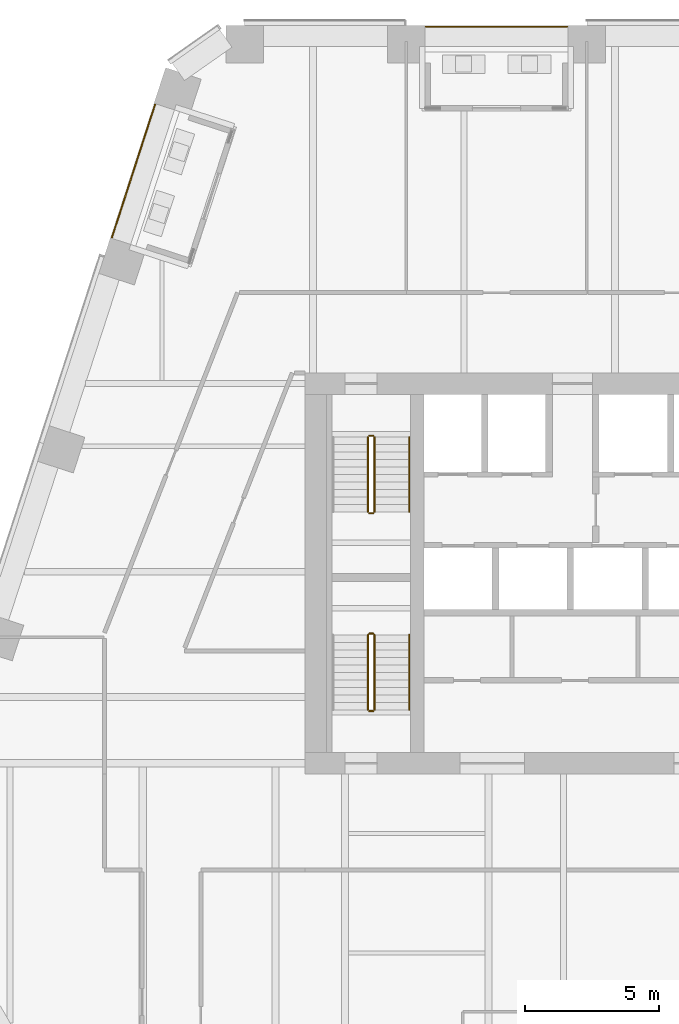
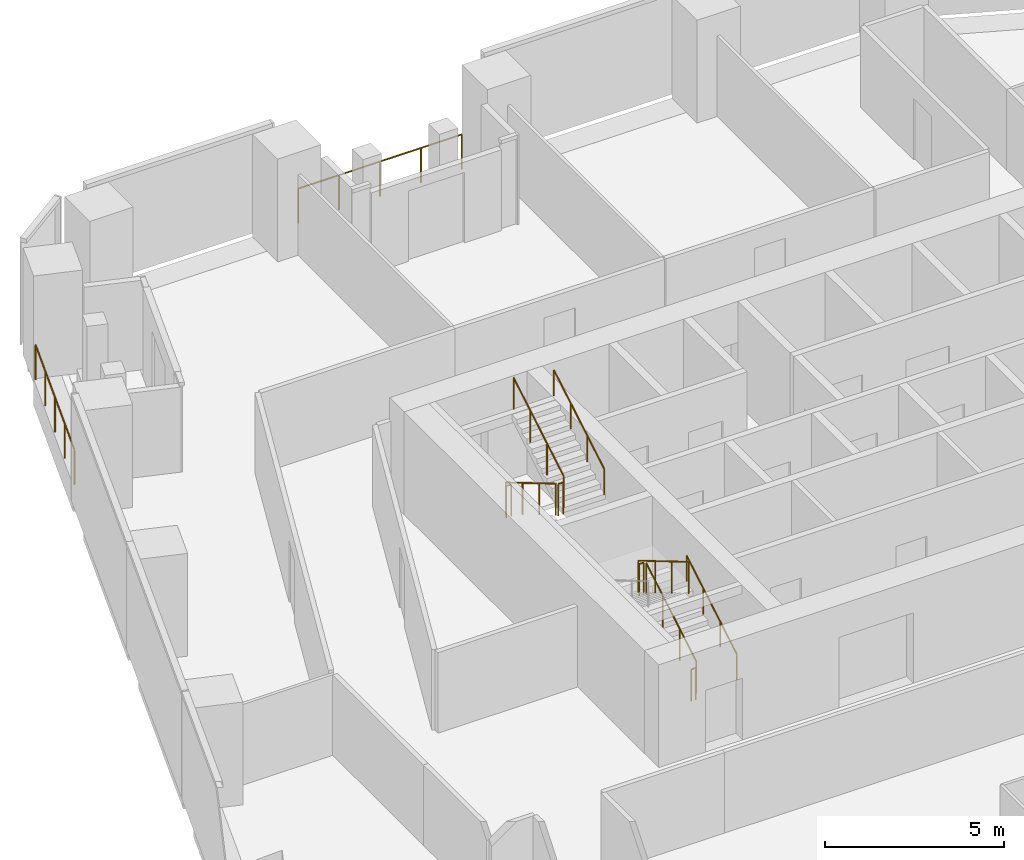
# One storey, part 24 of 26: 12 railings.
"""IFC4 building model written with IfcOpenShell, lengths in metres."""

import ifcopenshell
import ifcopenshell.guid

model = None  # the IFC model being written
_history = None  # IfcOwnerHistory: only IFC2X3 demands one
_inside = {}  # id of a spatial element -> (the spatial element, [elements in it])
_under = {}  # id of a project, library or spatial element -> (it, [spatial elements below it])
_declared = {}  # id of a project -> (the project, [libraries it declares])
_typed = {}  # id of a type object -> (the type object, [elements of that type])
_made_of = {}  # id of a material, layer set ... -> (it, [elements and type objects made of it])


def new_model(schema):
    """Start an empty IFC model of exactly this schema.

    Asked for "IFC4X3", IfcOpenShell would pick the latest addendum, in which some entities
    have other attributes; the version numbers below select the first issue.
    IFC2X3 requires an IfcOwnerHistory on every rooted entity: one is made here for all.
    """
    global model, _history
    if schema == "IFC4X3":
        model = ifcopenshell.file(schema_version=(4, 3, 0, 0))
    else:
        model = ifcopenshell.file(schema=schema)
    _inside.clear()
    _under.clear()
    _declared.clear()
    _typed.clear()
    _made_of.clear()
    _history = None
    if model.schema == "IFC2X3":
        org = make("IfcOrganization", Name="unknown")
        user = make(
            "IfcPersonAndOrganization",
            ThePerson=make("IfcPerson", FamilyName="unknown"),
            TheOrganization=org,
        )
        app = make(
            "IfcApplication",
            ApplicationDeveloper=org,
            Version="unknown",
            ApplicationFullName="unknown",
            ApplicationIdentifier="unknown",
        )
        _history = make(
            "IfcOwnerHistory",
            OwningUser=user,
            OwningApplication=app,
            ChangeAction="ADDED",
            CreationDate=0,
        )
    return model


def make(cls, **values):
    """One entity of the class cls with the attributes given. An attribute that is None is left unset."""
    return model.create_entity(
        cls, **{name: value for name, value in values.items() if value is not None}
    )


def rooted(cls, **values):
    """An entity with a GlobalId (a new one), such as an element, a storey or a relation."""
    return make(cls, GlobalId=ifcopenshell.guid.new(), OwnerHistory=_history, **values)


def si_unit(unit_type, name, prefix=None):
    """IfcSIUnit, for example si_unit("LENGTHUNIT", "METRE", prefix="MILLI")."""
    return make("IfcSIUnit", UnitType=unit_type, Prefix=prefix, Name=name)


def assignment(units):
    """IfcUnitAssignment: the units of a project."""
    return None if units is None else make("IfcUnitAssignment", Units=units)


def point(xyz):
    """IfcCartesianPoint."""
    return None if xyz is None else make("IfcCartesianPoint", Coordinates=xyz)


def direction(xyz):
    """IfcDirection."""
    return None if xyz is None else make("IfcDirection", DirectionRatios=xyz)


def frame(location, z_axis=None, x_axis=None):
    """IfcAxis2Placement3D, a coordinate frame: its origin and axes. An axis left out is left unset."""
    return make(
        "IfcAxis2Placement3D",
        Location=point(location),
        Axis=direction(z_axis),
        RefDirection=direction(x_axis),
    )


def frame_2d(location, x_axis=None):
    """IfcAxis2Placement2D, a coordinate frame in the plane: its origin and x axis."""
    return make(
        "IfcAxis2Placement2D", Location=point(location), RefDirection=direction(x_axis)
    )


def origin():
    """The frame at (0, 0, 0) with its axes left unset."""
    return frame((0.0, 0.0, 0.0))


def origin_2d():
    """The frame at (0, 0) in the plane with its x axis left unset."""
    return frame_2d((0.0, 0.0))


def place(relative_to, where):
    """IfcLocalPlacement: puts the frame where relative to a parent placement (None: the world)."""
    return make(
        "IfcLocalPlacement", PlacementRelTo=relative_to, RelativePlacement=where
    )


def context(
    kind, dimensions, precision=None, world=None, true_north=None, identifier=None
):
    """IfcGeometricRepresentationContext, for example the 3D "Model" context."""
    return make(
        "IfcGeometricRepresentationContext",
        ContextIdentifier=identifier,
        ContextType=kind,
        CoordinateSpaceDimension=dimensions,
        Precision=precision,
        WorldCoordinateSystem=world,
        TrueNorth=true_north,
    )


def subcontext(parent, identifier, kind, view, scale=None):
    """IfcGeometricRepresentationSubContext, for example "Body" below "Model"."""
    return make(
        "IfcGeometricRepresentationSubContext",
        ContextIdentifier=identifier,
        ContextType=kind,
        ParentContext=parent,
        TargetScale=scale,
        TargetView=view,
    )


def project(units=None, contexts=None):
    """IfcProject with its units and contexts."""
    return rooted(
        "IfcProject",
        Name="project",
        RepresentationContexts=contexts,
        UnitsInContext=assignment(units),
    )


def spatial(cls, under=None, at=None, **own):
    """A site, building, storey or space (cls), placed at a placement, below another one or the project."""
    s = rooted(cls, ObjectPlacement=at, **own)
    if under is not None:
        _under.setdefault(under.id(), (under, []))[1].append(s)
    return s


def profile(cls, at=None, kind="AREA", **sizes):
    """A parametric profile (cls). Its sizes go by their IFC names, for example OverallWidth=200.0."""
    return make(cls, ProfileType=kind, Position=at, **sizes)


def circle(**sizes):
    """IfcCircleProfileDef."""
    return profile("IfcCircleProfileDef", **sizes)


def extrude(swept, where, along, depth):
    """IfcExtrudedAreaSolid: the profile swept, set in the frame where, extruded along a direction by depth."""
    return make(
        "IfcExtrudedAreaSolid",
        SweptArea=swept,
        Position=where,
        ExtrudedDirection=direction(along),
        Depth=depth,
    )


def shape(context_of_items, identifier, shape_type, items):
    """IfcShapeRepresentation: the items that make up one representation, for example the "Body"."""
    return make(
        "IfcShapeRepresentation",
        ContextOfItems=context_of_items,
        RepresentationIdentifier=identifier,
        RepresentationType=shape_type,
        Items=items,
    )


def material(Name=None, Category=None):
    """IfcMaterial."""
    return make("IfcMaterial", Name=Name, Category=Category)


def made_of(thing, what):
    """Note that an element or type object is made of a material, layer set ...; save() writes the relation."""
    if what is not None:
        _made_of.setdefault(what.id(), (what, []))[1].append(thing)
    return thing


def type_object(cls, material=None, **own):
    """A type object (cls), such as IfcWallType, which elements share."""
    return made_of(rooted(cls, **own), material)


def element(
    cls,
    number,
    at=None,
    inside=None,
    cuts=None,
    type_object=None,
    material=None,
    context=None,
    identifier="Body",
    shape_type=None,
    held_by="IfcProductDefinitionShape",
    body=None,
    shapes=None,
    **own,
):
    """One element of the class cls, such as IfcWall. Its Tag is "e" and its number.

    at: its placement. inside: the storey or other place that contains it. cuts: it is an
    opening in that element (IfcRelVoidsElement). A single representation is given by context,
    identifier, shape_type and body (its items); several are given by shapes. held_by: the class
    of the entity that holds the representations. save() writes the other relations.
    """
    e = rooted(cls, Tag="e%d" % number, ObjectPlacement=at, **own)
    if body is not None:
        shapes = [shape(context, identifier, shape_type, body)]
    if shapes is not None:
        e.Representation = make(held_by, Representations=shapes)
    if inside is not None:
        _inside.setdefault(inside.id(), (inside, []))[1].append(e)
    if cuts is not None:
        rooted(
            "IfcRelVoidsElement", RelatingBuildingElement=cuts, RelatedOpeningElement=e
        )
    if type_object is not None:
        _typed.setdefault(type_object.id(), (type_object, []))[1].append(e)
    return made_of(e, material)


def aggregate(whole, parts):
    """IfcRelAggregates: a whole, such as a stair, and the parts it consists of."""
    return rooted("IfcRelAggregates", RelatingObject=whole, RelatedObjects=parts)


def save(model, path):
    """Write the relations noted so far, then the file.

    IfcRelAggregates (storeys below a building ...), IfcRelContainedInSpatialStructure (elements
    in a storey), IfcRelDefinesByType, IfcRelAssociatesMaterial and IfcRelDeclares: one each for
    every whole, place, type object, material and project.
    """
    for whole, parts in _under.values():
        aggregate(whole, parts)
    for where, things in _inside.values():
        rooted(
            "IfcRelContainedInSpatialStructure",
            RelatedElements=things,
            RelatingStructure=where,
        )
    for kind, things in _typed.values():
        rooted("IfcRelDefinesByType", RelatedObjects=things, RelatingType=kind)
    for what, things in _made_of.values():
        rooted("IfcRelAssociatesMaterial", RelatedObjects=things, RelatingMaterial=what)
    for by, libraries in _declared.values():
        rooted("IfcRelDeclares", RelatingContext=by, RelatedDefinitions=libraries)
    model.write(path)


model = new_model("IFC4")

# Units and contexts
model_context = context("Model", 3, precision=1e-05, world=origin(), true_north=direction((0.0, 1.0)))
body_context = subcontext(model_context, "Body", "Model", "MODEL_VIEW")
ifc_project = project(units=[si_unit("LENGTHUNIT", "METRE"), si_unit("AREAUNIT", "SQUARE_METRE"), si_unit("VOLUMEUNIT", "CUBIC_METRE"), si_unit("PLANEANGLEUNIT", "RADIAN"), si_unit("MASSUNIT", "GRAM", prefix="KILO")], contexts=[model_context])

# Site, building, storey
site_placement = place(None, origin())
site = spatial("IfcSite", under=ifc_project, at=site_placement, CompositionType="ELEMENT")
building_placement = place(site_placement, origin())
building = spatial("IfcBuilding", under=site, at=building_placement, Name="Isthmus Gate Tower", CompositionType="ELEMENT")
storey_placement = place(building_placement, frame((0.0, 0.0, 129.800048828125)))
storey = spatial("IfcBuildingStorey", under=building, at=storey_placement, Name="L31", CompositionType="ELEMENT", Elevation=129.800048828125)

# Railings
ifc_material_1 = material(Name="Toughened laminated glass with stainless steel posts", Category="steel")
railing_type_1 = type_object("IfcRailingType", Name="GUARD 1200 FRAMELESS GLASS", PredefinedType="GUARDRAIL", material=ifc_material_1)
railing_1_placement = place(storey_placement, frame((-5.20166015625, 27.949951171875, 0.0)))
element("IfcRailing", 1, at=railing_1_placement, inside=storey, type_object=railing_type_1, Name="LOGGIA GUARD", PredefinedType="GUARDRAIL", context=body_context, shape_type="SweptSolid", body=[
    extrude(circle(Radius=0.02490234375, at=origin_2d()), frame((0.0, 0.0, 1.1748046875), z_axis=(-1.0, 0.0, 0.0), x_axis=(0.0, -1.0, 0.0)), (0.0, 0.0, 1.0), 5.270263671875),
    extrude(circle(Radius=0.02490234375, at=origin_2d()), origin(), (0.0, 0.0, 1.0), 1.14990234375),
    extrude(circle(Radius=0.02490234375, at=origin_2d()), frame((-1.317626953125, 0.0, 0.0)), (0.0, 0.0, 1.0), 1.14990234375),
    extrude(circle(Radius=0.02490234375, at=origin_2d()), frame((-2.63525390625, 0.0, 0.0)), (0.0, 0.0, 1.0), 1.14990234375),
    extrude(circle(Radius=0.02490234375, at=origin_2d()), frame((-3.95263671875, 0.0, 0.0)), (0.0, 0.0, 1.0), 1.14990234375),
    extrude(circle(Radius=0.02490234375, at=origin_2d()), frame((-5.270263671875, 0.0, 0.0)), (0.0, 0.0, 1.0), 1.14990234375),
])
railing_2_placement = place(storey_placement, frame((-20.6123046875, 25.030029296875, 0.0)))
element("IfcRailing", 2, at=railing_2_placement, inside=storey, type_object=railing_type_1, Name="LOGGIA GUARD", PredefinedType="GUARDRAIL", context=body_context, shape_type="SweptSolid", body=[
    extrude(circle(Radius=0.02490234375, at=origin_2d()), frame((0.0, 0.0, 1.1748046875), z_axis=(-0.308993901537, -0.951064019303, 0.0), x_axis=(0.951064019303, -0.308993901537, 0.0)), (0.0, 0.0, 1.0), 5.210693359375),
    extrude(circle(Radius=0.02490234375, at=origin_2d()), origin(), (0.0, 0.0, 1.0), 1.14990234375),
    extrude(circle(Radius=0.02490234375, at=origin_2d()), frame((-0.402587890625, -1.239013671875, 0.0)), (0.0, 0.0, 1.0), 1.14990234375),
    extrude(circle(Radius=0.02490234375, at=origin_2d()), frame((-0.80517578125, -2.47802734375, 0.0)), (0.0, 0.0, 1.0), 1.14990234375),
    extrude(circle(Radius=0.02490234375, at=origin_2d()), frame((-1.20751953125, -3.716796875, 0.0)), (0.0, 0.0, 1.0), 1.14990234375),
    extrude(circle(Radius=0.02490234375, at=origin_2d()), frame((-1.610107421875, -4.955810546875, 0.0)), (0.0, 0.0, 1.0), 1.14990234375),
])
ifc_material_2 = material(Name="Stainless steel balustrade", Category="steel")
railing_type_2 = type_object("IfcRailingType", Name="STAIR GUARD 1100", PredefinedType="GUARDRAIL", material=ifc_material_2)
railing_3_placement = place(storey_placement, frame((-12.64990234375, 12.60009765625, 0.165771484375)))
element("IfcRailing", 3, at=railing_3_placement, inside=storey, type_object=railing_type_2, Name="L31 ST1 stair guard 1", PredefinedType="GUARDRAIL", context=body_context, shape_type="SweptSolid", body=[
    extrude(circle(Radius=0.02392578125, at=origin_2d()), frame((0.0, 0.0, 1.076171875), z_axis=(0.0, -0.860306154799, 0.50977771628), x_axis=(1.0, 0.0, 0.0)), (0.0, 0.0, 1.0), 3.254638671875),
    extrude(circle(Radius=0.02099609375, at=origin_2d()), origin(), (0.0, 0.0, 1.0), 1.052001953125),
    extrude(circle(Radius=0.02099609375, at=origin_2d()), frame((0.0, -0.933349609375, 0.552978515625)), (0.0, 0.0, 1.0), 1.052001953125),
    extrude(circle(Radius=0.02099609375, at=origin_2d()), frame((0.0, -1.86669921875, 1.106201171875)), (0.0, 0.0, 1.0), 1.052001953125),
    extrude(circle(Radius=0.02099609375, at=origin_2d()), frame((0.0, -2.800048828125, 1.6591796875)), (0.0, 0.0, 1.0), 1.052001953125),
])
railing_4_placement = place(storey_placement, frame((-12.60009765625, 9.75, 1.824951171875)))
element("IfcRailing", 4, at=railing_4_placement, inside=storey, type_object=railing_type_2, Name="L31 ST1 stair guard 2", PredefinedType="GUARDRAIL", context=body_context, shape_type="SweptSolid", body=[
    extrude(circle(Radius=0.02392578125, at=origin_2d()), frame((0.0, 0.0, 1.076171875), z_axis=(1.0, 0.0, 0.0), x_axis=(0.0, 1.0, 0.0)), (0.0, 0.0, 1.0), 0.150146484375),
    extrude(circle(Radius=0.02099609375, at=origin_2d()), origin(), (0.0, 0.0, 1.0), 1.052001953125),
    extrude(circle(Radius=0.02099609375, at=origin_2d()), frame((0.150146484375, 0.0, 0.0)), (0.0, 0.0, 1.0), 1.052001953125),
])
railing_5_placement = place(storey_placement, frame((-12.39990234375, 9.800048828125, 1.990966796875)))
element("IfcRailing", 5, at=railing_5_placement, inside=storey, type_object=railing_type_2, Name="L31 ST1 stair guard 3", PredefinedType="GUARDRAIL", context=body_context, shape_type="SweptSolid", body=[
    extrude(circle(Radius=0.02392578125, at=origin_2d()), frame((0.0, 0.0, 1.076171875), z_axis=(0.0, 0.860339051648, 0.50972219513), x_axis=(-1.0, 0.0, 0.0)), (0.0, 0.0, 1.0), 3.254638671875),
    extrude(circle(Radius=0.02099609375, at=origin_2d()), origin(), (0.0, 0.0, 1.0), 1.052001953125),
    extrude(circle(Radius=0.02099609375, at=origin_2d()), frame((0.0, 0.933349609375, 0.552978515625)), (0.0, 0.0, 1.0), 1.052001953125),
    extrude(circle(Radius=0.02099609375, at=origin_2d()), frame((0.0, 1.86669921875, 1.10595703125)), (0.0, 0.0, 1.0), 1.052001953125),
    extrude(circle(Radius=0.02099609375, at=origin_2d()), frame((0.0, 2.800048828125, 1.658935546875)), (0.0, 0.0, 1.0), 1.052001953125),
])
railing_6_placement = place(storey_placement, frame((-12.60009765625, 12.64990234375, 0.0)))
element("IfcRailing", 6, at=railing_6_placement, inside=storey, type_object=railing_type_2, Name="L31 ST1 stair guard 4", PredefinedType="GUARDRAIL", context=body_context, shape_type="SweptSolid", body=[
    extrude(circle(Radius=0.02392578125, at=origin_2d()), frame((0.0, 0.0, 1.076171875), z_axis=(1.0, 0.0, 0.0), x_axis=(0.0, 1.0, 0.0)), (0.0, 0.0, 1.0), 0.150146484375),
    extrude(circle(Radius=0.02099609375, at=origin_2d()), origin(), (0.0, 0.0, 1.0), 1.052001953125),
    extrude(circle(Radius=0.02099609375, at=origin_2d()), frame((0.150146484375, 0.0, 0.0)), (0.0, 0.0, 1.0), 1.052001953125),
])
railing_7_placement = place(storey_placement, frame((-12.39990234375, 2.39990234375, 0.165771484375)))
element("IfcRailing", 7, at=railing_7_placement, inside=storey, type_object=railing_type_2, Name="L31 ST7 stair guard 1", PredefinedType="GUARDRAIL", context=body_context, shape_type="SweptSolid", body=[
    extrude(circle(Radius=0.02392578125, at=origin_2d()), frame((0.0, 0.0, 1.076171875), z_axis=(0.0, 0.860306154799, 0.50977771628), x_axis=(-1.0, 0.0, 0.0)), (0.0, 0.0, 1.0), 3.254638671875),
    extrude(circle(Radius=0.02099609375, at=origin_2d()), origin(), (0.0, 0.0, 1.0), 1.052001953125),
    extrude(circle(Radius=0.02099609375, at=origin_2d()), frame((0.0, 0.933349609375, 0.552978515625)), (0.0, 0.0, 1.0), 1.052001953125),
    extrude(circle(Radius=0.02099609375, at=origin_2d()), frame((0.0, 1.86669921875, 1.106201171875)), (0.0, 0.0, 1.0), 1.052001953125),
    extrude(circle(Radius=0.02099609375, at=origin_2d()), frame((0.0, 2.800048828125, 1.6591796875)), (0.0, 0.0, 1.0), 1.052001953125),
])
railing_8_placement = place(storey_placement, frame((-12.449951171875, 5.25, 1.824951171875)))
element("IfcRailing", 8, at=railing_8_placement, inside=storey, type_object=railing_type_2, Name="L31 ST7 stair guard 2", PredefinedType="GUARDRAIL", context=body_context, shape_type="SweptSolid", body=[
    extrude(circle(Radius=0.02392578125, at=origin_2d()), frame((0.0, 0.0, 1.076171875), z_axis=(-1.0, 0.0, 0.0), x_axis=(0.0, -1.0, 0.0)), (0.0, 0.0, 1.0), 0.150146484375),
    extrude(circle(Radius=0.02099609375, at=origin_2d()), origin(), (0.0, 0.0, 1.0), 1.052001953125),
    extrude(circle(Radius=0.02099609375, at=origin_2d()), frame((-0.150146484375, 0.0, 0.0)), (0.0, 0.0, 1.0), 1.052001953125),
])
railing_9_placement = place(storey_placement, frame((-12.64990234375, 5.199951171875, 1.990966796875)))
element("IfcRailing", 9, at=railing_9_placement, inside=storey, type_object=railing_type_2, Name="L31 ST7 stair guard 3", PredefinedType="GUARDRAIL", context=body_context, shape_type="SweptSolid", body=[
    extrude(circle(Radius=0.02392578125, at=origin_2d()), frame((0.0, 0.0, 1.076171875), z_axis=(0.0, -0.860339051648, 0.50972219513), x_axis=(1.0, 0.0, 0.0)), (0.0, 0.0, 1.0), 3.254638671875),
    extrude(circle(Radius=0.02099609375, at=origin_2d()), origin(), (0.0, 0.0, 1.0), 1.052001953125),
    extrude(circle(Radius=0.02099609375, at=origin_2d()), frame((0.0, -0.933349609375, 0.552978515625)), (0.0, 0.0, 1.0), 1.052001953125),
    extrude(circle(Radius=0.02099609375, at=origin_2d()), frame((0.0, -1.86669921875, 1.10595703125)), (0.0, 0.0, 1.0), 1.052001953125),
    extrude(circle(Radius=0.02099609375, at=origin_2d()), frame((0.0, -2.800048828125, 1.658935546875)), (0.0, 0.0, 1.0), 1.052001953125),
])
railing_10_placement = place(storey_placement, frame((-12.449951171875, 2.35009765625, 0.0)))
element("IfcRailing", 10, at=railing_10_placement, inside=storey, type_object=railing_type_2, Name="L31 ST7 stair guard 4", PredefinedType="GUARDRAIL", context=body_context, shape_type="SweptSolid", body=[
    extrude(circle(Radius=0.02392578125, at=origin_2d()), frame((0.0, 0.0, 1.076171875), z_axis=(-1.0, 0.0, 0.0), x_axis=(0.0, -1.0, 0.0)), (0.0, 0.0, 1.0), 0.150146484375),
    extrude(circle(Radius=0.02099609375, at=origin_2d()), origin(), (0.0, 0.0, 1.0), 1.052001953125),
    extrude(circle(Radius=0.02099609375, at=origin_2d()), frame((-0.150146484375, 0.0, 0.0)), (0.0, 0.0, 1.0), 1.052001953125),
])
ifc_material_3 = material(Name="Stainless steel handrail", Category="steel")
railing_type_3 = type_object("IfcRailingType", Name="STAIR HANDRAIL 900", PredefinedType="HANDRAIL", material=ifc_material_3)
railing_11_placement = place(storey_placement, frame((-11.10009765625, 9.800048828125, 1.990966796875)))
element("IfcRailing", 11, at=railing_11_placement, inside=storey, type_object=railing_type_3, Name="L31 ST1 stair handrail 2", PredefinedType="HANDRAIL", context=body_context, shape_type="SweptSolid", body=[
    extrude(circle(Radius=0.02392578125, at=origin_2d()), frame((0.0, 0.0, 0.8759765625), z_axis=(0.0, 0.860339051648, 0.50972219513), x_axis=(-1.0, 0.0, 0.0)), (0.0, 0.0, 1.0), 3.254638671875),
    extrude(circle(Radius=0.02099609375, at=origin_2d()), origin(), (0.0, 0.0, 1.0), 0.851806640625),
    extrude(circle(Radius=0.02099609375, at=origin_2d()), frame((0.0, 0.933349609375, 0.552978515625)), (0.0, 0.0, 1.0), 0.851806640625),
    extrude(circle(Radius=0.02099609375, at=origin_2d()), frame((0.0, 1.86669921875, 1.10595703125)), (0.0, 0.0, 1.0), 0.851806640625),
    extrude(circle(Radius=0.02099609375, at=origin_2d()), frame((0.0, 2.800048828125, 1.658935546875)), (0.0, 0.0, 1.0), 0.851806640625),
])
railing_12_placement = place(storey_placement, frame((-11.10009765625, 2.39990234375, 0.165771484375)))
element("IfcRailing", 12, at=railing_12_placement, inside=storey, type_object=railing_type_3, Name="L31 ST7 stair handrail 1", PredefinedType="HANDRAIL", context=body_context, shape_type="SweptSolid", body=[
    extrude(circle(Radius=0.02392578125, at=origin_2d()), frame((0.0, 0.0, 0.8759765625), z_axis=(0.0, 0.860306154799, 0.50977771628), x_axis=(-1.0, 0.0, 0.0)), (0.0, 0.0, 1.0), 3.254638671875),
    extrude(circle(Radius=0.02099609375, at=origin_2d()), origin(), (0.0, 0.0, 1.0), 0.851806640625),
    extrude(circle(Radius=0.02099609375, at=origin_2d()), frame((0.0, 0.933349609375, 0.552978515625)), (0.0, 0.0, 1.0), 0.851806640625),
    extrude(circle(Radius=0.02099609375, at=origin_2d()), frame((0.0, 1.86669921875, 1.106201171875)), (0.0, 0.0, 1.0), 0.851806640625),
    extrude(circle(Radius=0.02099609375, at=origin_2d()), frame((0.0, 2.800048828125, 1.6591796875)), (0.0, 0.0, 1.0), 0.851806640625),
])

save(model, "model.ifc")
